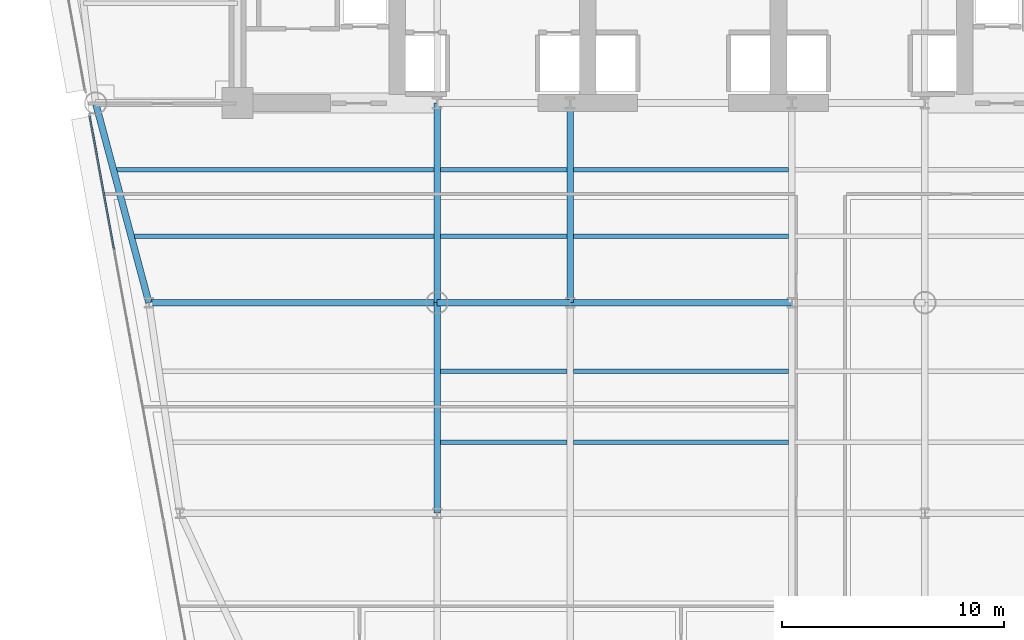
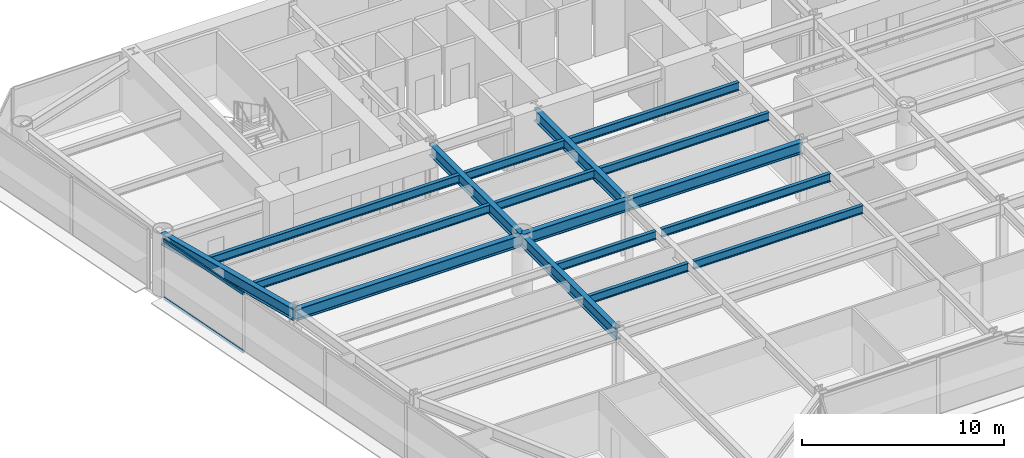
# One storey, part 4 of 15: 17 beams, 2 members, 1 element without a shape of its own.
"""IFC4 building model written with IfcOpenShell, lengths in metres."""

from ifc_helpers import new_model, si_unit, direction, frame, origin, origin_2d, place, context, subcontext, project, spatial, rectangle, i_section, extrude, source, transform, mapped, material, layer, layer_set, material_profile, profile_set, type_object, element, aggregate, save


model = new_model("IFC4")

# Units and contexts
model_context = context("Model", 3, precision=1e-05, world=origin(), true_north=direction((0.0, 1.0)))
body_context = subcontext(model_context, "Body", "Model", "MODEL_VIEW")
ifc_project = project(units=[si_unit("LENGTHUNIT", "METRE"), si_unit("AREAUNIT", "SQUARE_METRE"), si_unit("VOLUMEUNIT", "CUBIC_METRE"), si_unit("PLANEANGLEUNIT", "RADIAN"), si_unit("MASSUNIT", "GRAM", prefix="KILO")], contexts=[model_context])

# Site, building, storey
site_placement = place(None, origin())
site = spatial("IfcSite", under=ifc_project, at=site_placement, CompositionType="ELEMENT")
building_placement = place(site_placement, origin())
building = spatial("IfcBuilding", under=site, at=building_placement, Name="Vaeldorn Concourse Tower", CompositionType="ELEMENT")
storey_placement = place(building_placement, frame((0.0, 0.0, 95.800048828125)))
storey = spatial("IfcBuildingStorey", under=building, at=storey_placement, Name="L24", CompositionType="ELEMENT", Elevation=95.800048828125)

# Beams
ifc_material_1 = material(Name="Steel S355", Category="steel")
ifc_material_profile_1 = material_profile(ifc_material_1, i_section(OverallWidth=0.199951171875, OverallDepth=0.5, WebThickness=0.01025390625, FlangeThickness=0.01611328125, FilletRadius=0.02099609375, at=origin_2d()), Name="IPE 500")
ifc_profile_set_1 = profile_set([ifc_material_profile_1], Name="Steel S355")
beam_type_1 = type_object("IfcBeamType", Name="BM-JS-IPE500", PredefinedType="JOIST", material=ifc_profile_set_1)
shared_shape_1 = source(origin(), body_context, "Body", "SweptSolid", [
    extrude(i_section(OverallWidth=0.199951171875, OverallDepth=0.5, WebThickness=0.01025390625, FlangeThickness=0.01611328125, FilletRadius=0.02099609375, at=origin_2d()), origin(), (0.0, 0.0, 1.0), 5.7001953125),
])
for number, where, z_axis, x_axis, name in (
    (1, (23.14990234375, 21.199951171875, 3.329833984375), (1.0, 0.0, 0.0), (0.0, 1.0, 0.0), "Beam JS-L24-W2-212"),
    (2, (23.14990234375, 24.39990234375, 3.329833984375), (1.0, 0.0, 0.0), (0.0, 1.0, 0.0), "Beam JS-L24-W2-244"),
    (3, (23.14990234375, 30.5, 3.329833984375), (1.0, 0.0, 0.0), (0.0, 1.0, 0.0), "Beam JS-L24-W2-305"),
    (4, (23.14990234375, 33.5, 3.329833984375), (1.0, 0.0, 0.0), (0.0, 1.0, 0.0), "Beam JS-L24-W2-335"),
):
    element("IfcBeam", number, at=place(storey_placement, frame(where, z_axis=z_axis, x_axis=x_axis)), inside=storey, type_object=beam_type_1, Name=name, PredefinedType="JOIST", context=body_context, shape_type="MappedRepresentation", body=[
        mapped(shared_shape_1, transform((0.0, 0.0, 0.0), scale=1.0)),
    ])
shared_shape_2 = source(origin(), body_context, "Body", "SweptSolid", [
    extrude(i_section(OverallWidth=0.199951171875, OverallDepth=0.5, WebThickness=0.01025390625, FlangeThickness=0.01611328125, FilletRadius=0.02099609375, at=origin_2d()), origin(), (0.0, 0.0, 1.0), 9.7001953125),
])
for number, where, z_axis, x_axis, name in (
    (5, (29.14990234375, 21.199951171875, 3.329833984375), (1.0, 0.0, 0.0), (0.0, 1.0, 0.0), "Beam JS-L24-C-212"),
    (6, (29.14990234375, 24.39990234375, 3.329833984375), (1.0, 0.0, 0.0), (0.0, 1.0, 0.0), "Beam JS-L24-C-244"),
    (7, (29.14990234375, 30.5, 3.329833984375), (1.0, 0.0, 0.0), (0.0, 1.0, 0.0), "Beam JS-L24-C-305"),
    (8, (29.14990234375, 33.5, 3.329833984375), (1.0, 0.0, 0.0), (0.0, 1.0, 0.0), "Beam JS-L24-C-335"),
):
    element("IfcBeam", number, at=place(storey_placement, frame(where, z_axis=z_axis, x_axis=x_axis)), inside=storey, type_object=beam_type_1, Name=name, PredefinedType="JOIST", context=body_context, shape_type="MappedRepresentation", body=[
        mapped(shared_shape_2, transform((0.0, 0.0, 0.0), scale=1.0)),
    ])
shared_shape_3 = source(origin(), body_context, "Body", "SweptSolid", [
    extrude(i_section(OverallWidth=0.199951171875, OverallDepth=0.5, WebThickness=0.01025390625, FlangeThickness=0.01611328125, FilletRadius=0.02099609375, at=origin_2d()), origin(), (0.0, 0.0, 1.0), 13.5),
])
beam_1_placement = place(storey_placement, frame((9.35009765625, 30.5, 3.329833984375), z_axis=(1.0, 0.0, 0.0), x_axis=(0.0, 1.0, 0.0)))
element("IfcBeam", 9, at=beam_1_placement, inside=storey, type_object=beam_type_1, Name="Beam JS-L24-W1-305", PredefinedType="JOIST", context=body_context, shape_type="MappedRepresentation", body=[
    mapped(shared_shape_3, transform((0.0, 0.0, 0.0), scale=1.0)),
])
shared_shape_4 = source(origin(), body_context, "Body", "SweptSolid", [
    extrude(i_section(OverallWidth=0.199951171875, OverallDepth=0.5, WebThickness=0.01025390625, FlangeThickness=0.01611328125, FilletRadius=0.02099609375, at=origin_2d()), origin(), (0.0, 0.0, 1.0), 14.300048828125),
])
beam_2_placement = place(storey_placement, frame((8.550048828125, 33.5, 3.329833984375), z_axis=(1.0, 0.0, 0.0), x_axis=(0.0, 1.0, 0.0)))
element("IfcBeam", 10, at=beam_2_placement, inside=storey, type_object=beam_type_1, Name="Beam JS-L24-W1-335", PredefinedType="JOIST", context=body_context, shape_type="MappedRepresentation", body=[
    mapped(shared_shape_4, transform((0.0, 0.0, 0.0), scale=1.0)),
])
ifc_material_profile_2 = material_profile(ifc_material_1, i_section(OverallWidth=0.300048828125, OverallDepth=0.699951171875, WebThickness=0.01708984375, FlangeThickness=0.031982421875, FilletRadius=0.027099609375, at=origin_2d()), Name="HEB 700")
ifc_profile_set_2 = profile_set([ifc_material_profile_2], Name="Steel S355")
beam_type_2 = type_object("IfcBeamType", Name="BM-PG-HEB700", PredefinedType="BEAM", material=ifc_profile_set_2)
shared_shape_5 = source(origin(), body_context, "Body", "SweptSolid", [
    extrude(i_section(OverallWidth=0.300048828125, OverallDepth=0.699951171875, WebThickness=0.01708984375, FlangeThickness=0.031982421875, FilletRadius=0.027099609375, at=origin_2d()), origin(), (0.0, 0.0, 1.0), 6.0),
])
beam_3_placement = place(storey_placement, frame((23.0, 27.5, 3.22998046875), z_axis=(1.0, 0.0, 0.0), x_axis=(0.0, 1.0, 0.0)))
element("IfcBeam", 11, at=beam_3_placement, inside=storey, type_object=beam_type_2, Name="Beam BM-L24-C-TW1-C-TW2", PredefinedType="BEAM", context=body_context, shape_type="MappedRepresentation", body=[
    mapped(shared_shape_5, transform((0.0, 0.0, 0.0), scale=1.0)),
])
shared_shape_6 = source(origin(), body_context, "Body", "SweptSolid", [
    extrude(i_section(OverallWidth=0.300048828125, OverallDepth=0.699951171875, WebThickness=0.01708984375, FlangeThickness=0.031982421875, FilletRadius=0.027099609375, at=origin_2d()), origin(), (0.0, 0.0, 1.0), 10.0),
])
beam_4_placement = place(storey_placement, frame((29.0, 27.5, 3.22998046875), z_axis=(1.0, 0.0, 0.0), x_axis=(0.0, 1.0, 0.0)))
element("IfcBeam", 12, at=beam_4_placement, inside=storey, type_object=beam_type_2, Name="Beam BM-L24-C-TW2-C-TW3", PredefinedType="BEAM", context=body_context, shape_type="MappedRepresentation", body=[
    mapped(shared_shape_6, transform((0.0, 0.0, 0.0), scale=1.0)),
])
shared_shape_7 = source(origin(), body_context, "Body", "SweptSolid", [
    extrude(i_section(OverallWidth=0.300048828125, OverallDepth=0.699951171875, WebThickness=0.01708984375, FlangeThickness=0.031982421875, FilletRadius=0.027099609375, at=origin_2d()), origin(), (0.0, 0.0, 1.0), 9.0),
])
for number, where, z_axis, x_axis, name in (
    (13, (23.0, 27.5, 3.22998046875), (0.0, 1.0, 0.0), (-1.0, 0.0, 0.0), "Beam BM-L24-C-TW1-C-FC2"),
    (14, (29.0, 27.5, 3.22998046875), (0.0, 1.0, 0.0), (-1.0, 0.0, 0.0), "Beam BM-L24-C-TW2-C-FC3"),
):
    element("IfcBeam", number, at=place(storey_placement, frame(where, z_axis=z_axis, x_axis=x_axis)), inside=storey, type_object=beam_type_2, Name=name, PredefinedType="BEAM", context=body_context, shape_type="MappedRepresentation", body=[
        mapped(shared_shape_7, transform((0.0, 0.0, 0.0), scale=1.0)),
    ])
shared_shape_8 = source(origin(), body_context, "Body", "SweptSolid", [
    extrude(i_section(OverallWidth=0.300048828125, OverallDepth=0.699951171875, WebThickness=0.01708984375, FlangeThickness=0.031982421875, FilletRadius=0.027099609375, at=origin_2d()), origin(), (0.0, 0.0, 1.0), 9.314453125),
])
beam_5_placement = place(storey_placement, frame((7.60009765625, 36.5, 3.22998046875), z_axis=(0.257652862255, -0.966237549763, 0.0), x_axis=(0.966237549763, 0.257652862255, 0.0)))
element("IfcBeam", 15, at=beam_5_placement, inside=storey, type_object=beam_type_2, Name="Beam BM-L24-C-NW2-C-FLW1", PredefinedType="BEAM", context=body_context, shape_type="MappedRepresentation", body=[
    mapped(shared_shape_8, transform((0.0, 0.0, 0.0), scale=1.0)),
])
shared_shape_9 = source(origin(), body_context, "Body", "SweptSolid", [
    extrude(i_section(OverallWidth=0.300048828125, OverallDepth=0.699951171875, WebThickness=0.01708984375, FlangeThickness=0.031982421875, FilletRadius=0.027099609375, at=origin_2d()), origin(), (0.0, 0.0, 1.0), 13.0),
])
beam_6_placement = place(storey_placement, frame((10.0, 27.5, 3.22998046875), z_axis=(1.0, 0.0, 0.0), x_axis=(0.0, 1.0, 0.0)))
element("IfcBeam", 16, at=beam_6_placement, inside=storey, type_object=beam_type_2, Name="Beam BM-L24-C-FLW1-C-TW1", PredefinedType="BEAM", context=body_context, shape_type="MappedRepresentation", body=[
    mapped(shared_shape_9, transform((0.0, 0.0, 0.0), scale=1.0)),
])
shared_shape_10 = source(origin(), body_context, "Body", "SweptSolid", [
    extrude(i_section(OverallWidth=0.300048828125, OverallDepth=0.699951171875, WebThickness=0.01708984375, FlangeThickness=0.031982421875, FilletRadius=0.027099609375, at=origin_2d()), origin(), (0.0, 0.0, 1.0), 9.5),
])
beam_7_placement = place(storey_placement, frame((23.0, 18.0, 3.22998046875), z_axis=(0.0, 1.0, 0.0), x_axis=(-1.0, 0.0, 0.0)))
element("IfcBeam", 17, at=beam_7_placement, inside=storey, type_object=beam_type_2, Name="Beam BM-L24-C-TW5-C-TW1", PredefinedType="BEAM", context=body_context, shape_type="MappedRepresentation", body=[
    mapped(shared_shape_10, transform((0.0, 0.0, 0.0), scale=1.0)),
])

# Curtain wall, members
ifc_material_2 = material(Name="Anodised Bronze Aluminium", Category="aluminium")
ifc_layer = layer(ifc_material_2, 0.199951171875)
ifc_layer_set = layer_set([ifc_layer], Name="Anodised Bronze Aluminium")
curtain_wall_type = type_object("IfcCurtainWallType", Name="CW-SYS-02", PredefinedType="NOTDEFINED", material=ifc_layer_set)
curtain_wall_placement = place(storey_placement, origin())
curtain_wall = element("IfcCurtainWall", 18, at=curtain_wall_placement, inside=storey, type_object=curtain_wall_type, Name="Unitised Curtain Wall CW-L24-E11-2", PredefinedType="NOTDEFINED")
ifc_material_profile_3 = material_profile(ifc_material_2, rectangle(XDim=0.074951171875, YDim=0.179931640625, at=origin_2d()), Name="CWT 75x180")
ifc_profile_set_3 = profile_set([ifc_material_profile_3], Name="Anodised Bronze Aluminium")
member_type = type_object("IfcMemberType", Name="CWT-BRONZE-180", PredefinedType="USERDEFINED", material=ifc_profile_set_3)
shared_shape_11 = source(origin(), body_context, "Body", "SweptSolid", [
    extrude(rectangle(XDim=0.074951171875, YDim=0.179931640625, at=origin_2d()), origin(), (0.0, 0.0, 1.0), 6.103271484375),
])
member_1_placement = place(storey_placement, frame((7.3349609375, 35.908203125, 0.037353515625), z_axis=(0.179564773613, -0.983746152255, 0.0), x_axis=(0.983746152255, 0.179564773613, 0.0)))
member_1 = element("IfcMember", 19, at=member_1_placement, type_object=member_type, Name="CW-02 transom 1.1", ObjectType="TRANSOM", PredefinedType="USERDEFINED", context=body_context, shape_type="MappedRepresentation", body=[
    mapped(shared_shape_11, transform((0.0, 0.0, 0.0), scale=1.0)),
])
member_2_placement = place(storey_placement, frame((7.3349609375, 35.908203125, 3.54248046875), z_axis=(0.179564773613, -0.983746152255, 0.0), x_axis=(0.983746152255, 0.179564773613, 0.0)))
member_2 = element("IfcMember", 20, at=member_2_placement, type_object=member_type, Name="CW-02 transom 1.2", ObjectType="TRANSOM", PredefinedType="USERDEFINED", context=body_context, shape_type="MappedRepresentation", body=[
    mapped(shared_shape_11, transform((0.0, 0.0, 0.0), scale=1.0)),
])
aggregate(curtain_wall, [member_1, member_2])

save(model, "model.ifc")
